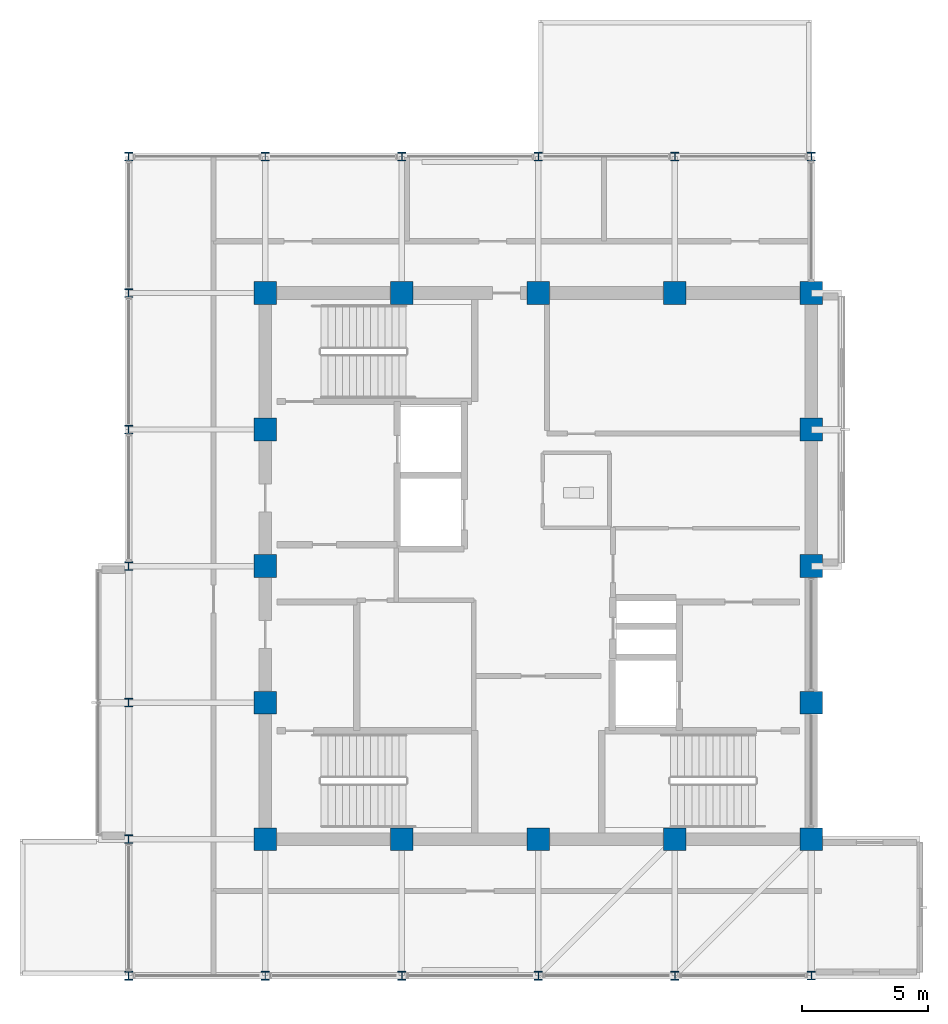
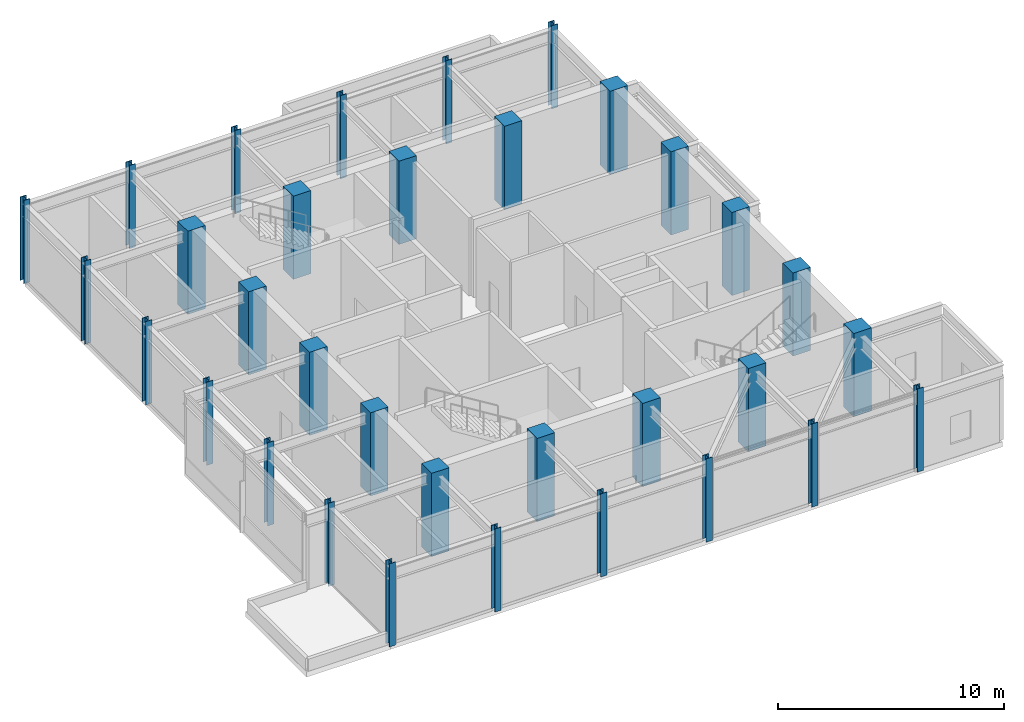
# One storey, part 1 of 18: 33 columns.
"""IFC4 building model written with IfcOpenShell, lengths in metres."""

from ifc_helpers import new_model, si_unit, direction, frame, origin, origin_2d, place, context, subcontext, project, spatial, rectangle, i_section, extrude, material, material_profile, profile_set, type_object, element, save


model = new_model("IFC4")

# Units and contexts
model_context = context("Model", 3, precision=1e-05, world=origin(), true_north=direction((0.0, 1.0)))
body_context = subcontext(model_context, "Body", "Model", "MODEL_VIEW")
ifc_project = project(units=[si_unit("LENGTHUNIT", "METRE"), si_unit("AREAUNIT", "SQUARE_METRE"), si_unit("VOLUMEUNIT", "CUBIC_METRE"), si_unit("PLANEANGLEUNIT", "RADIAN"), si_unit("MASSUNIT", "GRAM", prefix="KILO")], contexts=[model_context])

# Site, building, storey
site_placement = place(None, origin())
site = spatial("IfcSite", under=ifc_project, at=site_placement, CompositionType="ELEMENT")
building_placement = place(site_placement, origin())
building = spatial("IfcBuilding", under=site, at=building_placement, Name="Surkhivell Harbour Commons", CompositionType="ELEMENT")
storey_placement = place(building_placement, frame((0.0, 0.0, 355.5)))
storey = spatial("IfcBuildingStorey", under=building, at=storey_placement, Name="L92", CompositionType="ELEMENT", Elevation=355.5)

# Columns
ifc_material_1 = material(Name="Steel S355", Category="steel")
ifc_material_profile_1 = material_profile(ifc_material_1, i_section(OverallWidth=0.31396484375, OverallDepth=0.340087890625, WebThickness=0.01904296875, FlangeThickness=0.031494140625, at=origin_2d()), Name="UC305x305x198")
ifc_profile_set_1 = profile_set([ifc_material_profile_1], Name="Steel S355")
column_type_1 = type_object("IfcColumnType", Name="COL-CRN-UC305", PredefinedType="COLUMN", material=ifc_profile_set_1)
for number, where, z_axis, x_axis, name in (
    (1, (-16.199951171875, -16.199951171875, 0.0), (0.0, 0.0, 1.0), (1.0, 0.0, 0.0), "L92 Column CCRN-3 (-16.2,-16.2)"),
    (2, (-16.199951171875, -10.800048828125, 0.0), (0.0, 0.0, 1.0), (1.0, 0.0, 0.0), "L92 Column CCRN-3 (-16.2,-10.8)"),
    (3, (-16.199951171875, -5.39990234375, 0.0), (0.0, 0.0, 1.0), (1.0, 0.0, 0.0), "L92 Column CCRN-3 (-16.2,-5.4)"),
    (4, (-16.199951171875, 0.0, 0.0), (0.0, 0.0, 1.0), (1.0, 0.0, 0.0), "L92 Column CCRN-3 (-16.2,0.0)"),
    (5, (-16.199951171875, 5.39990234375, 0.0), (0.0, 0.0, 1.0), (1.0, 0.0, 0.0), "L92 Column CCRN-3 (-16.2,5.4)"),
    (6, (-16.199951171875, 10.800048828125, 0.0), (0.0, 0.0, 1.0), (1.0, 0.0, 0.0), "L92 Column CCRN-3 (-16.2,10.8)"),
    (7, (-16.199951171875, 16.199951171875, 0.0), (0.0, 0.0, 1.0), (1.0, 0.0, 0.0), "L92 Column CCRN-3 (-16.2,16.2)"),
    (8, (-10.800048828125, -16.199951171875, 0.0), (0.0, 0.0, 1.0), (1.0, 0.0, 0.0), "L92 Column CCRN-3 (-10.8,-16.2)"),
    (9, (-10.800048828125, 16.199951171875, 0.0), (0.0, 0.0, 1.0), (1.0, 0.0, 0.0), "L92 Column CCRN-3 (-10.8,16.2)"),
    (10, (-5.39990234375, -16.199951171875, 0.0), (0.0, 0.0, 1.0), (1.0, 0.0, 0.0), "L92 Column CCRN-3 (-5.4,-16.2)"),
    (11, (-5.39990234375, 16.199951171875, 0.0), (0.0, 0.0, 1.0), (1.0, 0.0, 0.0), "L92 Column CCRN-3 (-5.4,16.2)"),
    (12, (0.0, -16.199951171875, 0.0), (0.0, 0.0, 1.0), (1.0, 0.0, 0.0), "L92 Column CCRN-3 (0.0,-16.2)"),
    (13, (0.0, 16.199951171875, 0.0), (0.0, 0.0, 1.0), (1.0, 0.0, 0.0), "L92 Column CCRN-3 (0.0,16.2)"),
    (14, (5.39990234375, -16.199951171875, 0.0), (0.0, 0.0, 1.0), (1.0, 0.0, 0.0), "L92 Column CCRN-3 (5.4,-16.2)"),
    (15, (5.39990234375, 16.199951171875, 0.0), (0.0, 0.0, 1.0), (1.0, 0.0, 0.0), "L92 Column CCRN-3 (5.4,16.2)"),
    (16, (10.800048828125, -16.199951171875, 0.0), (0.0, 0.0, 1.0), (1.0, 0.0, 0.0), "L92 Column CCRN-3 (10.8,-16.2)"),
    (17, (10.800048828125, 16.199951171875, 0.0), (0.0, 0.0, 1.0), (1.0, 0.0, 0.0), "L92 Column CCRN-3 (10.8,16.2)"),
):
    element("IfcColumn", number, at=place(storey_placement, frame(where, z_axis=z_axis, x_axis=x_axis)), inside=storey, type_object=column_type_1, Name=name, PredefinedType="COLUMN", context=body_context, shape_type="SweptSolid", body=[
        extrude(i_section(OverallWidth=0.31396484375, OverallDepth=0.340087890625, WebThickness=0.01904296875, FlangeThickness=0.031494140625, at=origin_2d()), origin(), (0.0, 0.0, 1.0), 4.5),
    ])
ifc_material_2 = material(Name="Concrete C60/75", Category="concrete")
ifc_material_profile_2 = material_profile(ifc_material_2, rectangle(XDim=0.89990234375, YDim=0.89990234375, at=origin_2d()), Name="RC-COL-900x900")
ifc_profile_set_2 = profile_set([ifc_material_profile_2], Name="Concrete C60/75")
column_type_2 = type_object("IfcColumnType", Name="COL-TUBE-Z3A", PredefinedType="COLUMN", material=ifc_profile_set_2)
for number, where, z_axis, x_axis, name in (
    (18, (-10.800048828125, -10.800048828125, 0.0), (0.0, 0.0, 1.0), (1.0, 0.0, 0.0), "L92 Column CT-3A (-10.8,-10.8)"),
    (19, (-10.800048828125, -5.39990234375, 0.0), (0.0, 0.0, 1.0), (1.0, 0.0, 0.0), "L92 Column CT-3A (-10.8,-5.4)"),
    (20, (-10.800048828125, 0.0, 0.0), (0.0, 0.0, 1.0), (1.0, 0.0, 0.0), "L92 Column CT-3A (-10.8,0.0)"),
    (21, (-10.800048828125, 5.39990234375, 0.0), (0.0, 0.0, 1.0), (1.0, 0.0, 0.0), "L92 Column CT-3A (-10.8,5.4)"),
    (22, (-10.800048828125, 10.800048828125, 0.0), (0.0, 0.0, 1.0), (1.0, 0.0, 0.0), "L92 Column CT-3A (-10.8,10.8)"),
    (23, (-5.39990234375, -10.800048828125, 0.0), (0.0, 0.0, 1.0), (1.0, 0.0, 0.0), "L92 Column CT-3A (-5.4,-10.8)"),
    (24, (-5.39990234375, 10.800048828125, 0.0), (0.0, 0.0, 1.0), (1.0, 0.0, 0.0), "L92 Column CT-3A (-5.4,10.8)"),
    (25, (0.0, -10.800048828125, 0.0), (0.0, 0.0, 1.0), (1.0, 0.0, 0.0), "L92 Column CT-3A (0.0,-10.8)"),
    (26, (0.0, 10.800048828125, 0.0), (0.0, 0.0, 1.0), (1.0, 0.0, 0.0), "L92 Column CT-3A (0.0,10.8)"),
    (27, (5.39990234375, -10.800048828125, 0.0), (0.0, 0.0, 1.0), (1.0, 0.0, 0.0), "L92 Column CT-3A (5.4,-10.8)"),
    (28, (5.39990234375, 10.800048828125, 0.0), (0.0, 0.0, 1.0), (1.0, 0.0, 0.0), "L92 Column CT-3A (5.4,10.8)"),
    (29, (10.800048828125, -10.800048828125, 0.0), (0.0, 0.0, 1.0), (1.0, 0.0, 0.0), "L92 Column CT-3A (10.8,-10.8)"),
    (30, (10.800048828125, -5.39990234375, 0.0), (0.0, 0.0, 1.0), (1.0, 0.0, 0.0), "L92 Column CT-3A (10.8,-5.4)"),
    (31, (10.800048828125, 0.0, 0.0), (0.0, 0.0, 1.0), (1.0, 0.0, 0.0), "L92 Column CT-3A (10.8,0.0)"),
    (32, (10.800048828125, 5.39990234375, 0.0), (0.0, 0.0, 1.0), (1.0, 0.0, 0.0), "L92 Column CT-3A (10.8,5.4)"),
    (33, (10.800048828125, 10.800048828125, 0.0), (0.0, 0.0, 1.0), (1.0, 0.0, 0.0), "L92 Column CT-3A (10.8,10.8)"),
):
    element("IfcColumn", number, at=place(storey_placement, frame(where, z_axis=z_axis, x_axis=x_axis)), inside=storey, type_object=column_type_2, Name=name, PredefinedType="COLUMN", context=body_context, shape_type="SweptSolid", body=[
        extrude(rectangle(XDim=0.89990234375, YDim=0.89990234375, at=origin_2d()), origin(), (0.0, 0.0, 1.0), 4.5),
    ])

save(model, "model.ifc")
